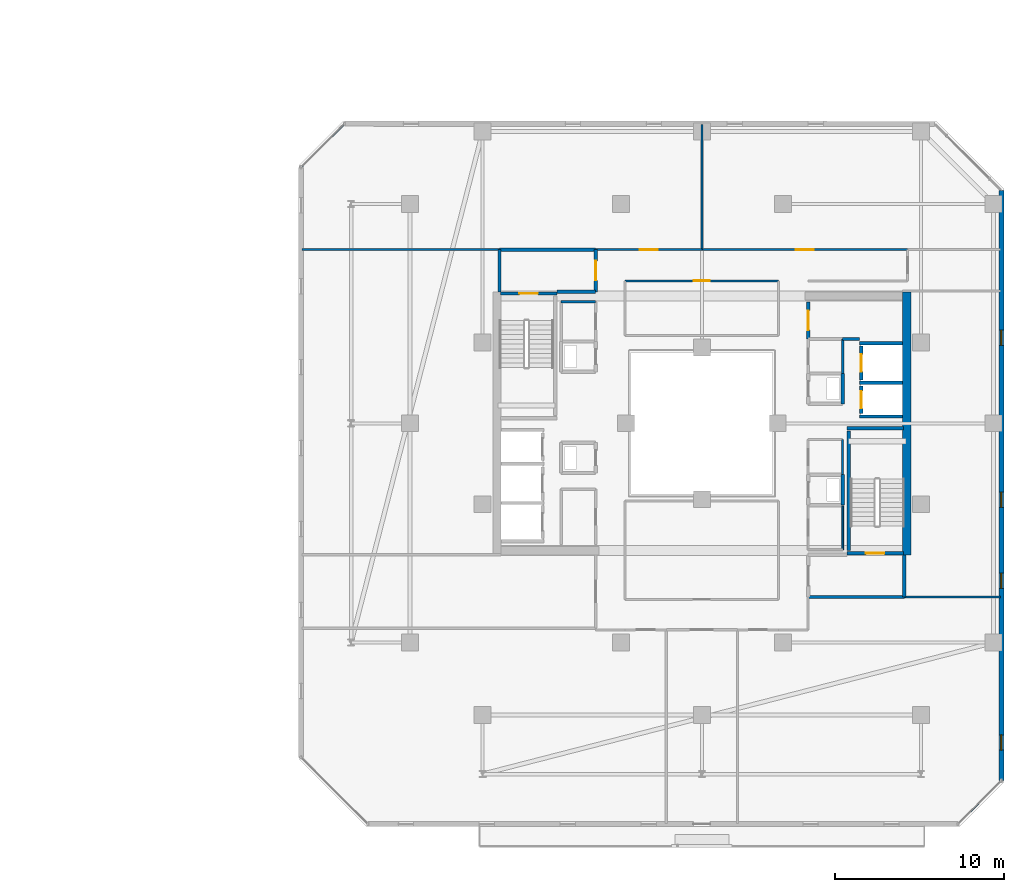
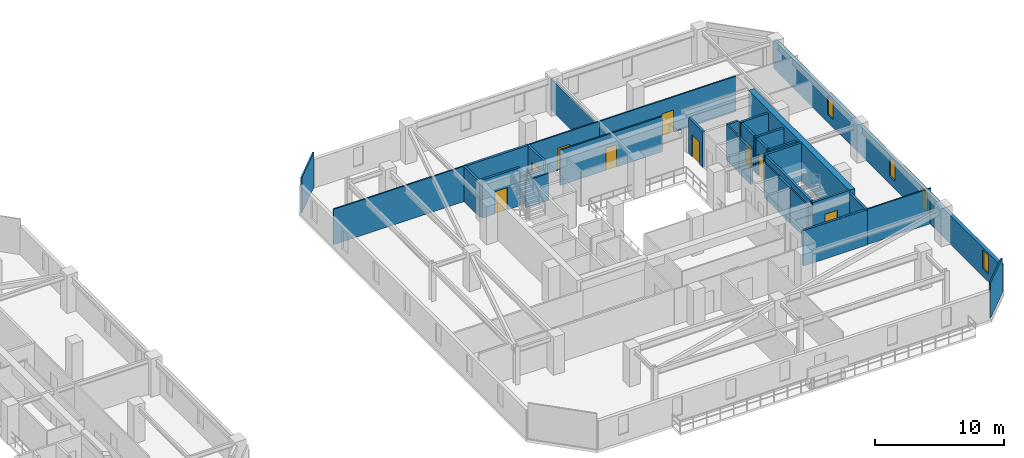
# One storey, part 25 of 33: 33 walls, 9 doors, 4 windows, 13 openings.
"""IFC4 building model written with IfcOpenShell, lengths in metres."""

from ifc_helpers import new_model, si_unit, direction, frame, frame_2d, origin, place, context, subcontext, project, spatial, rectangle, extrude, material, layer, layer_set, type_object, element, fill, save


model = new_model("IFC4")

# Units and contexts
model_context = context("Model", 3, precision=1e-05, world=origin(), true_north=direction((0.0, 1.0)))
body_context = subcontext(model_context, "Body", "Model", "MODEL_VIEW")
ifc_project = project(units=[si_unit("LENGTHUNIT", "METRE"), si_unit("AREAUNIT", "SQUARE_METRE"), si_unit("VOLUMEUNIT", "CUBIC_METRE"), si_unit("PLANEANGLEUNIT", "RADIAN"), si_unit("MASSUNIT", "GRAM", prefix="KILO")], contexts=[model_context])

# Site, building, storey
site_placement = place(None, origin())
site = spatial("IfcSite", under=ifc_project, at=site_placement, CompositionType="ELEMENT")
building_placement = place(site_placement, origin())
building = spatial("IfcBuilding", under=site, at=building_placement, Name="Thornwick Lancets Civic Towers", CompositionType="ELEMENT")
storey_placement = place(building_placement, frame((0.0, 0.0, 203.699951171875)))
storey = spatial("IfcBuildingStorey", under=building, at=storey_placement, Name="L54", CompositionType="ELEMENT", Elevation=203.699951171875)

# Wall, opening, door
ifc_material_1 = material(Name="Concrete blockwork C40/50", Category="masonry")
ifc_layer_1 = layer(ifc_material_1, 0.199951171875, Name="Concrete blockwork C40/50")
ifc_layer_set_1 = layer_set([ifc_layer_1], Name="Concrete blockwork C40/50")
wall_type_1 = type_object("IfcWallType", Name="WALL_COMP_200", PredefinedType="STANDARD", material=ifc_layer_set_1)
wall_1_placement = place(storey_placement, frame((97.949951171875, 29.219970703125, 0.0), z_axis=(0.0, 0.0, 1.0), x_axis=(0.0, -1.0, 0.0)))
wall_1 = element("IfcWall", 1, at=wall_1_placement, inside=storey, type_object=wall_type_1, Name="L54 Hoistway Front Wall FL-B1", PredefinedType="STANDARD", context=body_context, shape_type="SweptSolid", body=[
    extrude(rectangle(XDim=1.639892578125, YDim=0.199951171875, at=frame_2d((0.81982421875, 0.0))), origin(), (0.0, 0.0, 1.0), 3.340087890625),
])
opening_1_placement = place(wall_1_placement, frame((0.31005859375, 0.0, 0.0)))
opening_1 = element("IfcOpeningElement", 2, at=opening_1_placement, cuts=wall_1, Name="Opening LD-FL-B1", PredefinedType="OPENING", context=body_context, shape_type="SweptSolid", body=[
    extrude(rectangle(XDim=1.02001953125, YDim=2.06005859375, at=frame_2d((0.510009765625, 1.030029296875))), frame((0.0, 0.10986328125, 0.0), z_axis=(0.0, -1.0, 0.0), x_axis=(1.0, 0.0, 0.0)), (0.0, 0.0, 1.0), 0.219970703125),
])
ifc_material_2 = material(Name="Brushed bronze stainless steel", Category="steel")
door_type_1 = type_object("IfcDoorType", Name="DOOR_LIFT_SLIDE", OperationType="SLIDING_TO_LEFT", PredefinedType="DOOR", material=ifc_material_2)
door_1_placement = place(opening_1_placement, origin())
door_1 = element("IfcDoor", 3, at=door_1_placement, inside=storey, type_object=door_type_1, Name="L54 Sliding Lift Landing Door LD-FL-B1", OperationType="SLIDING_TO_LEFT", OverallHeight=2.06005859375, OverallWidth=1.02001953125, PredefinedType="DOOR", context=body_context, shape_type="SweptSolid", body=[
    extrude(rectangle(XDim=1.02001953125, YDim=2.06005859375, at=frame_2d((0.510009765625, 1.030029296875))), frame((0.0, 0.02490234375, 0.0), z_axis=(0.0, -1.0, 0.0), x_axis=(1.0, 0.0, 0.0)), (0.0, 0.0, 1.0), 0.050048828125),
])
fill(opening_1, door_1)

wall_2_placement = place(storey_placement, frame((97.949951171875, 31.570068359375, 0.0), z_axis=(0.0, 0.0, 1.0), x_axis=(0.0, -1.0, 0.0)))
wall_2 = element("IfcWall", 4, at=wall_2_placement, inside=storey, type_object=wall_type_1, Name="L54 Hoistway Front Wall PL-BH1", PredefinedType="STANDARD", context=body_context, shape_type="SweptSolid", body=[
    extrude(rectangle(XDim=1.989990234375, YDim=0.199951171875, at=frame_2d((0.9951171875, 0.0))), origin(), (0.0, 0.0, 1.0), 3.340087890625),
])
opening_2_placement = place(wall_2_placement, frame((0.485107421875, 0.0, 0.0)))
opening_2 = element("IfcOpeningElement", 5, at=opening_2_placement, cuts=wall_2, Name="Opening LD-PL-BH1", PredefinedType="OPENING", context=body_context, shape_type="SweptSolid", body=[
    extrude(rectangle(XDim=1.02001953125, YDim=2.06005859375, at=frame_2d((0.510009765625, 1.030029296875))), frame((0.0, 0.10986328125, 0.0), z_axis=(0.0, -1.0, 0.0), x_axis=(1.0, 0.0, 0.0)), (0.0, 0.0, 1.0), 0.219970703125),
])
door_2_placement = place(opening_2_placement, origin())
door_2 = element("IfcDoor", 6, at=door_2_placement, inside=storey, type_object=door_type_1, Name="L54 Sliding Lift Landing Door LD-PL-BH1", OperationType="SLIDING_TO_LEFT", OverallHeight=2.06005859375, OverallWidth=1.02001953125, PredefinedType="DOOR", context=body_context, shape_type="SweptSolid", body=[
    extrude(rectangle(XDim=1.02001953125, YDim=2.06005859375, at=frame_2d((0.510009765625, 1.030029296875))), frame((0.0, 0.02490234375, 0.0), z_axis=(0.0, -1.0, 0.0), x_axis=(1.0, 0.0, 0.0)), (0.0, 0.0, 1.0), 0.050048828125),
])
fill(opening_2, door_2)

# Walls
for number, where, z_axis, x_axis, name in (
    (7, (97.85205078125, 29.39990234375, 0.0), (0.0, 0.0, 1.0), (1.0, 0.0, 0.0), "L54 Hoistway Shaft Wall FL-B1 N"),
    (8, (97.85205078125, 27.39990234375, 0.0), (0.0, 0.0, 1.0), (1.0, 0.0, 0.0), "L54 Hoistway Shaft Wall FL-B1 S"),
    (9, (97.85205078125, 31.75, 0.0), (0.0, 0.0, 1.0), (1.0, 0.0, 0.0), "L54 Hoistway Shaft Wall PL-BH1 N"),
):
    element("IfcWall", number, at=place(storey_placement, frame(where, z_axis=z_axis, x_axis=x_axis)), inside=storey, type_object=wall_type_1, Name=name, PredefinedType="STANDARD", context=body_context, shape_type="SweptSolid", body=[
        extrude(rectangle(XDim=2.535888671875, YDim=0.199951171875, at=frame_2d((1.26806640625, 0.0))), origin(), (0.0, 0.0, 1.0), 3.340087890625),
    ])
wall_3_placement = place(storey_placement, frame((94.800048828125, 16.699951171875, 0.0), z_axis=(0.0, 0.0, 1.0), x_axis=(1.0, 0.0, 0.0)))
element("IfcWall", 10, at=wall_3_placement, inside=storey, type_object=wall_type_1, Name="L54 Partition L54-B-FFLOB1 E1", PredefinedType="STANDARD", context=body_context, shape_type="SweptSolid", body=[
    extrude(rectangle(XDim=5.699951171875, YDim=0.199951171875, at=frame_2d((2.85009765625, 0.0))), origin(), (0.0, 0.0, 1.0), 3.340087890625),
])
wall_4_placement = place(storey_placement, frame((100.5, 16.699951171875, 0.0), z_axis=(0.0, 0.0, 1.0), x_axis=(0.0, 1.0, 0.0)))
element("IfcWall", 11, at=wall_4_placement, inside=storey, type_object=wall_type_1, Name="L54 Partition L54-B-FFLOB1 E2", PredefinedType="STANDARD", context=body_context, shape_type="SweptSolid", body=[
    extrude(rectangle(XDim=2.5, YDim=0.199951171875, at=frame_2d((1.25, 0.0))), origin(), (0.0, 0.0, 1.0), 3.340087890625),
])
wall_5_placement = place(storey_placement, frame((79.89990234375, 34.800048828125, 0.0), z_axis=(0.0, 0.0, 1.0), x_axis=(1.0, 0.0, 0.0)))
element("IfcWall", 12, at=wall_5_placement, inside=storey, type_object=wall_type_1, Name="L54 Partition L54-B-FFLOB2 E1", PredefinedType="STANDARD", context=body_context, shape_type="SweptSolid", body=[
    extrude(rectangle(XDim=2.300048828125, YDim=0.199951171875, at=frame_2d((1.14990234375, 0.0))), origin(), (0.0, 0.0, 1.0), 2.545166015625),
])

# Wall, opening, door
wall_6_placement = place(storey_placement, frame((82.199951171875, 34.800048828125, 0.0), z_axis=(0.0, 0.0, 1.0), x_axis=(0.0, 1.0, 0.0)))
wall_6 = element("IfcWall", 13, at=wall_6_placement, inside=storey, type_object=wall_type_1, Name="L54 Partition L54-B-FFLOB2 E2", PredefinedType="STANDARD", context=body_context, shape_type="SweptSolid", body=[
    extrude(rectangle(XDim=2.5, YDim=0.199951171875, at=frame_2d((1.25, 0.0))), origin(), (0.0, 0.0, 1.0), 3.340087890625),
])
opening_3_placement = place(wall_6_placement, frame((0.675048828125, 0.0, 0.0)))
opening_3 = element("IfcOpeningElement", 14, at=opening_3_placement, cuts=wall_6, Name="Opening D-L54-2400", PredefinedType="OPENING", context=body_context, shape_type="SweptSolid", body=[
    extrude(rectangle(XDim=1.14990234375, YDim=2.10009765625, at=frame_2d((0.574951171875, 1.050048828125))), frame((0.0, 0.10986328125, 0.0), z_axis=(0.0, -1.0, 0.0), x_axis=(1.0, 0.0, 0.0)), (0.0, 0.0, 1.0), 0.219970703125),
])
ifc_material_3 = material(Name="Glazed fire-resisting steel", Category="steel")
door_type_2 = type_object("IfcDoorType", Name="DOOR_LOBBY_FD60", OperationType="NOTDEFINED", PredefinedType="DOOR", material=ifc_material_3)
door_3_placement = place(opening_3_placement, origin())
door_3 = element("IfcDoor", 15, at=door_3_placement, inside=storey, type_object=door_type_2, Name="L54 West Firefighting Lobby 2 Door", OperationType="SINGLE_SWING_LEFT", OverallHeight=2.10009765625, OverallWidth=1.14990234375, PredefinedType="DOOR", context=body_context, shape_type="SweptSolid", body=[
    extrude(rectangle(XDim=1.14990234375, YDim=2.10009765625, at=frame_2d((0.574951171875, 1.050048828125))), frame((0.0, 0.02490234375, 0.0), z_axis=(0.0, -1.0, 0.0), x_axis=(1.0, 0.0, 0.0)), (0.0, 0.0, 1.0), 0.050048828125),
])
fill(opening_3, door_3)

# Walls
wall_7_placement = place(storey_placement, frame((82.199951171875, 37.300048828125, 0.0), z_axis=(0.0, 0.0, 1.0), x_axis=(-1.0, 0.0, 0.0)))
element("IfcWall", 16, at=wall_7_placement, inside=storey, type_object=wall_type_1, Name="L54 Partition L54-B-FFLOB2 E3", PredefinedType="STANDARD", context=body_context, shape_type="SweptSolid", body=[
    extrude(rectangle(XDim=5.699951171875, YDim=0.199951171875, at=frame_2d((2.85009765625, 0.0))), origin(), (0.0, 0.0, 1.0), 3.340087890625),
])
wall_8_placement = place(storey_placement, frame((76.5, 37.300048828125, 0.0), z_axis=(0.0, 0.0, 1.0), x_axis=(0.0, -1.0, 0.0)))
element("IfcWall", 17, at=wall_8_placement, inside=storey, type_object=wall_type_1, Name="L54 Partition L54-B-FFLOB2 E4", PredefinedType="STANDARD", context=body_context, shape_type="SweptSolid", body=[
    extrude(rectangle(XDim=2.5, YDim=0.199951171875, at=frame_2d((1.25, 0.0))), origin(), (0.0, 0.0, 1.0), 3.340087890625),
])
for number, where, z_axis, x_axis, name in (
    (18, (96.85009765625, 28.14990234375, 0.0), (0.0, 0.0, 1.0), (0.0, 1.0, 0.0), "L54 Partition L54-B-DUCT1 E2"),
    (19, (96.85009765625, 22.14990234375, 0.0), (0.0, 0.0, 1.0), (0.0, 1.0, 0.0), "L54 Partition L54-B-RISER1 E2"),
):
    element("IfcWall", number, at=place(storey_placement, frame(where, z_axis=z_axis, x_axis=x_axis)), inside=storey, type_object=wall_type_1, Name=name, PredefinedType="STANDARD", context=body_context, shape_type="SweptSolid", body=[
        extrude(rectangle(XDim=1.800048828125, YDim=0.199951171875, at=frame_2d((0.89990234375, 0.0))), origin(), (0.0, 0.0, 1.0), 3.340087890625),
    ])

# Wall, opening, door
wall_9_placement = place(storey_placement, frame((94.800048828125, 32.0, 0.0), z_axis=(0.0, 0.0, 1.0), x_axis=(0.0, 1.0, 0.0)))
wall_9 = element("IfcWall", 20, at=wall_9_placement, inside=storey, type_object=wall_type_1, Name="L54 Partition L54-B-STR2 E1", PredefinedType="STANDARD", context=body_context, shape_type="SweptSolid", body=[
    extrude(rectangle(XDim=2.199951171875, YDim=0.199951171875, at=frame_2d((1.10009765625, 0.0))), origin(), (0.0, 0.0, 1.0), 3.340087890625),
])
opening_4_placement = place(wall_9_placement, frame((0.52490234375, 0.0, 0.0)))
opening_4 = element("IfcOpeningElement", 21, at=opening_4_placement, cuts=wall_9, Name="Opening D-L54-2408", PredefinedType="OPENING", context=body_context, shape_type="SweptSolid", body=[
    extrude(rectangle(XDim=1.14990234375, YDim=2.10009765625, at=frame_2d((0.574951171875, 1.050048828125))), frame((0.0, 0.10986328125, 0.0), z_axis=(0.0, -1.0, 0.0), x_axis=(1.0, 0.0, 0.0)), (0.0, 0.0, 1.0), 0.219970703125),
])
door_4_placement = place(opening_4_placement, origin())
door_4 = element("IfcDoor", 22, at=door_4_placement, inside=storey, type_object=door_type_2, Name="L54 Tower B Core Supplies Store Door", OperationType="SINGLE_SWING_LEFT", OverallHeight=2.10009765625, OverallWidth=1.14990234375, PredefinedType="DOOR", context=body_context, shape_type="SweptSolid", body=[
    extrude(rectangle(XDim=1.14990234375, YDim=2.10009765625, at=frame_2d((0.574951171875, 1.050048828125))), frame((0.0, 0.02490234375, 0.0), z_axis=(0.0, -1.0, 0.0), x_axis=(1.0, 0.0, 0.0)), (0.0, 0.0, 1.0), 0.050048828125),
])
fill(opening_4, door_4)

# Walls
wall_10_placement = place(storey_placement, frame((97.85205078125, 32.0, 0.0), z_axis=(0.0, 0.0, 1.0), x_axis=(-1.0, 0.0, 0.0)))
element("IfcWall", 23, at=wall_10_placement, inside=storey, type_object=wall_type_1, Name="L54 Partition L54-B-STR2 E4", PredefinedType="STANDARD", context=body_context, shape_type="SweptSolid", body=[
    extrude(rectangle(XDim=1.001953125, YDim=0.199951171875, at=frame_2d((0.5009765625, 0.0))), origin(), (0.0, 0.0, 1.0), 3.340087890625),
])
ifc_material_4 = material(Name="Concrete C50/60", Category="concrete")
ifc_layer_2 = layer(ifc_material_4, 0.5, Name="Concrete C50/60")
ifc_layer_set_2 = layer_set([ifc_layer_2], Name="Concrete C50/60")
wall_type_2 = type_object("IfcWallType", Name="WALL_CORE_500", PredefinedType="SHEAR", material=ifc_layer_set_2)
wall_11_placement = place(storey_placement, frame((100.64990234375, 19.199951171875, 0.0), z_axis=(0.0, 0.0, 1.0), x_axis=(0.0, 1.0, 0.0)))
element("IfcWall", 24, at=wall_11_placement, inside=storey, type_object=wall_type_2, Name="L54 Split Core B1 Shear Wall E", PredefinedType="SHEAR", context=body_context, shape_type="SweptSolid", body=[
    extrude(rectangle(XDim=15.60009765625, YDim=0.5, at=frame_2d((7.800048828125, 0.0))), origin(), (0.0, 0.0, 1.0), 3.60009765625),
])

# Wall, openings, windows
ifc_material_5 = material(Name="Insulated russet terracotta rainscreen on concrete C40/50", Category="masonry")
ifc_layer_3 = layer(ifc_material_5, 0.300048828125, Name="Insulated russet terracotta rainscreen on concrete C40/50")
ifc_layer_set_3 = layer_set([ifc_layer_3], Name="Insulated russet terracotta rainscreen on concrete C40/50")
wall_type_3 = type_object("IfcWallType", Name="WALL_EXT_RUSSET_300", PredefinedType="STANDARD", material=ifc_layer_set_3)
wall_12_placement = place(storey_placement, frame((106.2646484375, 5.818603515625, 0.0), z_axis=(0.0, 0.0, 1.0), x_axis=(-0.000132597301, 0.999999991209, 0.0)))
wall_12 = element("IfcWall", 25, at=wall_12_placement, inside=storey, type_object=wall_type_3, Name="L54 Tower B Terracotta Facade Wall E2", PredefinedType="STANDARD", context=body_context, shape_type="SweptSolid", body=[
    extrude(rectangle(XDim=34.983154296875, YDim=0.300048828125, at=frame_2d((17.49169921875, 0.0))), origin(), (0.0, 0.0, 1.0), 2.699951171875),
])
opening_5_placement = place(wall_12_placement, frame((1.800048828125, 0.0, 0.719970703125)))
opening_5 = element("IfcOpeningElement", 26, at=opening_5_placement, cuts=wall_12, Name="Opening WL-01", PredefinedType="OPENING", context=body_context, shape_type="SweptSolid", body=[
    extrude(rectangle(XDim=0.89990234375, YDim=1.75, at=frame_2d((0.449951171875, 0.875))), frame((0.0, 0.16015625, 0.0), z_axis=(0.0, -1.0, 0.0), x_axis=(1.0, 0.0, 0.0)), (0.0, 0.0, 1.0), 0.320068359375),
])
opening_6_placement = place(wall_12_placement, frame((11.39990234375, 0.0, 0.719970703125)))
opening_6 = element("IfcOpeningElement", 27, at=opening_6_placement, cuts=wall_12, Name="Opening WL-01", PredefinedType="OPENING", context=body_context, shape_type="SweptSolid", body=[
    extrude(rectangle(XDim=0.89990234375, YDim=1.75, at=frame_2d((0.449951171875, 0.875))), frame((0.0, 0.16015625, 0.0), z_axis=(0.0, -1.0, 0.0), x_axis=(1.0, 0.0, 0.0)), (0.0, 0.0, 1.0), 0.320068359375),
])
opening_7_placement = place(wall_12_placement, frame((16.199951171875, 0.0, 0.719970703125)))
opening_7 = element("IfcOpeningElement", 28, at=opening_7_placement, cuts=wall_12, Name="Opening WL-01", PredefinedType="OPENING", context=body_context, shape_type="SweptSolid", body=[
    extrude(rectangle(XDim=0.89990234375, YDim=1.75, at=frame_2d((0.449951171875, 0.875))), frame((0.0, 0.16015625, 0.0), z_axis=(0.0, -1.0, 0.0), x_axis=(1.0, 0.0, 0.0)), (0.0, 0.0, 1.0), 0.320068359375),
])
opening_8_placement = place(wall_12_placement, frame((25.800048828125, 0.0, 0.719970703125)))
opening_8 = element("IfcOpeningElement", 29, at=opening_8_placement, cuts=wall_12, Name="Opening WL-01", PredefinedType="OPENING", context=body_context, shape_type="SweptSolid", body=[
    extrude(rectangle(XDim=0.89990234375, YDim=1.75, at=frame_2d((0.449951171875, 0.875))), frame((0.0, 0.16015625, 0.0), z_axis=(0.0, -1.0, 0.0), x_axis=(1.0, 0.0, 0.0)), (0.0, 0.0, 1.0), 0.320068359375),
])
ifc_material_6 = material(Name="Clear low-e double glazing in bronze frame", Category="glass")
window_type = type_object("IfcWindowType", Name="WIN_LANCET_900", PartitioningType="SINGLE_PANEL", PredefinedType="WINDOW", material=ifc_material_6)
window_1_placement = place(opening_5_placement, origin())
window_1 = element("IfcWindow", 30, at=window_1_placement, inside=storey, type_object=window_type, Name="L54 Tower B Staggered Lancet Window E2-1", OverallHeight=1.75, OverallWidth=0.89990234375, PartitioningType="SINGLE_PANEL", PredefinedType="WINDOW", context=body_context, shape_type="SweptSolid", body=[
    extrude(rectangle(XDim=0.89990234375, YDim=1.75, at=frame_2d((0.449951171875, 0.875))), frame((0.0, 0.030029296875, 0.0), z_axis=(0.0, -1.0, 0.0), x_axis=(1.0, 0.0, 0.0)), (0.0, 0.0, 1.0), 0.06005859375),
])
fill(opening_5, window_1)
window_2_placement = place(opening_6_placement, origin())
window_2 = element("IfcWindow", 31, at=window_2_placement, inside=storey, type_object=window_type, Name="L54 Tower B Staggered Lancet Window E2-2", OverallHeight=1.75, OverallWidth=0.89990234375, PartitioningType="SINGLE_PANEL", PredefinedType="WINDOW", context=body_context, shape_type="SweptSolid", body=[
    extrude(rectangle(XDim=0.89990234375, YDim=1.75, at=frame_2d((0.449951171875, 0.875))), frame((0.0, 0.030029296875, 0.0), z_axis=(0.0, -1.0, 0.0), x_axis=(1.0, 0.0, 0.0)), (0.0, 0.0, 1.0), 0.06005859375),
])
fill(opening_6, window_2)
window_3_placement = place(opening_7_placement, origin())
window_3 = element("IfcWindow", 32, at=window_3_placement, inside=storey, type_object=window_type, Name="L54 Tower B Staggered Lancet Window E2-3", OverallHeight=1.75, OverallWidth=0.89990234375, PartitioningType="SINGLE_PANEL", PredefinedType="WINDOW", context=body_context, shape_type="SweptSolid", body=[
    extrude(rectangle(XDim=0.89990234375, YDim=1.75, at=frame_2d((0.449951171875, 0.875))), frame((0.0, 0.030029296875, 0.0), z_axis=(0.0, -1.0, 0.0), x_axis=(1.0, 0.0, 0.0)), (0.0, 0.0, 1.0), 0.06005859375),
])
fill(opening_7, window_3)
window_4_placement = place(opening_8_placement, origin())
window_4 = element("IfcWindow", 33, at=window_4_placement, inside=storey, type_object=window_type, Name="L54 Tower B Staggered Lancet Window E2-4", OverallHeight=1.75, OverallWidth=0.89990234375, PartitioningType="SINGLE_PANEL", PredefinedType="WINDOW", context=body_context, shape_type="SweptSolid", body=[
    extrude(rectangle(XDim=0.89990234375, YDim=1.75, at=frame_2d((0.449951171875, 0.875))), frame((0.0, 0.030029296875, 0.0), z_axis=(0.0, -1.0, 0.0), x_axis=(1.0, 0.0, 0.0)), (0.0, 0.0, 1.0), 0.06005859375),
])
fill(opening_8, window_4)

# Walls
ifc_material_7 = material(Name="Lightweight cellular office partition")
ifc_layer_4 = layer(ifc_material_7, 0.10009765625, Name="Lightweight cellular office partition")
ifc_layer_set_4 = layer_set([ifc_layer_4], Name="Lightweight cellular office partition")
wall_type_4 = type_object("IfcWallType", Name="WALL_PART_100", PredefinedType="PARTITIONING", material=ifc_layer_set_4)
wall_13_placement = place(storey_placement, frame((96.85009765625, 19.5, 0.0), z_axis=(0.0, 0.0, 1.0), x_axis=(0.0, 1.0, 0.0)))
element("IfcWall", 34, at=wall_13_placement, inside=storey, type_object=wall_type_4, Name="L54 Partition L54-B-CLN E2", PredefinedType="PARTITIONING", context=body_context, shape_type="SweptSolid", body=[
    extrude(rectangle(XDim=2.60009765625, YDim=0.10009765625, at=frame_2d((1.300048828125, 0.0))), origin(), (0.0, 0.0, 1.0), 3.340087890625),
])
ifc_material_8 = material(Name="Acoustic gypsum board partition")
ifc_layer_5 = layer(ifc_material_8, 0.1201171875, Name="Acoustic gypsum board partition")
ifc_layer_set_5 = layer_set([ifc_layer_5], Name="Acoustic gypsum board partition")
wall_type_5 = type_object("IfcWallType", Name="WALL_PART_120", PredefinedType="PARTITIONING", material=ifc_layer_set_5)
wall_14_placement = place(storey_placement, frame((96.85009765625, 26.050048828125, 0.0), z_axis=(0.0, 0.0, 1.0), x_axis=(0.0, -1.0, 0.0)))
element("IfcWall", 35, at=wall_14_placement, inside=storey, type_object=wall_type_5, Name="L54 Partition L54-B-ITR E3", PredefinedType="PARTITIONING", context=body_context, shape_type="SweptSolid", body=[
    extrude(rectangle(XDim=2.10009765625, YDim=0.1201171875, at=frame_2d((1.050048828125, 0.0))), origin(), (0.0, 0.0, 1.0), 3.340087890625),
])
wall_15_placement = place(storey_placement, frame((100.5, 16.699951171875, 0.0), z_axis=(0.0, 0.0, 1.0), x_axis=(1.0, 0.0, 0.0)))
element("IfcWall", 36, at=wall_15_placement, inside=storey, type_object=wall_type_5, Name="L54 Partition L54-B-W1 E7", PredefinedType="PARTITIONING", context=body_context, shape_type="SweptSolid", body=[
    extrude(rectangle(XDim=5.719970703125, YDim=0.1201171875, at=frame_2d((2.85986328125, 0.0))), origin(), (0.0, 0.0, 1.0), 3.340087890625),
])
wall_16_placement = place(storey_placement, frame((106.219970703125, 5.774658203125, 0.0), z_axis=(0.0, 0.0, 1.0), x_axis=(-0.707106781187, -0.707106781187, 0.0)))
element("IfcWall", 37, at=wall_16_placement, inside=storey, type_object=wall_type_5, Name="L54 Partition L54-B-W1 E9", PredefinedType="PARTITIONING", context=body_context, shape_type="SweptSolid", body=[
    extrude(rectangle(XDim=3.52783203125, YDim=0.1201171875, at=frame_2d((1.763916015625, 0.0))), origin(), (0.0, 0.0, 1.0), 3.340087890625),
])

# Wall, opening, door
wall_17_placement = place(storey_placement, frame((100.699951171875, 37.300048828125, 0.0), z_axis=(0.0, 0.0, 1.0), x_axis=(-1.0, 0.0, 0.0)))
wall_17 = element("IfcWall", 38, at=wall_17_placement, inside=storey, type_object=wall_type_5, Name="L54 Partition L54-B-E1 E1", PredefinedType="PARTITIONING", context=body_context, shape_type="SweptSolid", body=[
    extrude(rectangle(XDim=12.199951171875, YDim=0.1201171875, at=frame_2d((6.10009765625, 0.0))), origin(), (0.0, 0.0, 1.0), 3.340087890625),
])
opening_9_placement = place(wall_17_placement, frame((5.574951171875, 0.0, 0.0)))
opening_9 = element("IfcOpeningElement", 39, at=opening_9_placement, cuts=wall_17, Name="Opening D-L54-2426", PredefinedType="OPENING", context=body_context, shape_type="SweptSolid", body=[
    extrude(rectangle(XDim=1.050048828125, YDim=2.10009765625, at=frame_2d((0.52490234375, 1.050048828125))), frame((0.0, 0.070068359375, 0.0), z_axis=(0.0, -1.0, 0.0), x_axis=(1.0, 0.0, 0.0)), (0.0, 0.0, 1.0), 0.14013671875),
])
ifc_material_9 = material(Name="Glazed European oak executive doorset")
door_type_3 = type_object("IfcDoorType", Name="DOOR_OFFICE_1050", OperationType="NOTDEFINED", PredefinedType="DOOR", material=ifc_material_9)
door_5_placement = place(opening_9_placement, origin())
door_5 = element("IfcDoor", 40, at=door_5_placement, inside=storey, type_object=door_type_3, Name="L54 Tower B Secretariat Open Office E1 Door", OperationType="SINGLE_SWING_LEFT", OverallHeight=2.10009765625, OverallWidth=1.050048828125, PredefinedType="DOOR", context=body_context, shape_type="SweptSolid", body=[
    extrude(rectangle(XDim=1.050048828125, YDim=2.10009765625, at=frame_2d((0.52490234375, 1.050048828125))), frame((0.0, 0.02490234375, 0.0), z_axis=(0.0, -1.0, 0.0), x_axis=(1.0, 0.0, 0.0)), (0.0, 0.0, 1.0), 0.050048828125),
])
fill(opening_9, door_5)

# Walls
wall_18_placement = place(storey_placement, frame((88.5, 37.300048828125, 0.0), z_axis=(0.0, 0.0, 1.0), x_axis=(0.0, 1.0, 0.0)))
element("IfcWall", 41, at=wall_18_placement, inside=storey, type_object=wall_type_5, Name="L54 Partition L54-B-E1 E2", PredefinedType="PARTITIONING", context=body_context, shape_type="SweptSolid", body=[
    extrude(rectangle(XDim=7.419921875, YDim=0.1201171875, at=frame_2d((3.7099609375, 0.0))), origin(), (0.0, 0.0, 1.0), 2.93212890625),
])
wall_19_placement = place(storey_placement, frame((76.5, 37.300048828125, 0.0), z_axis=(0.0, 0.0, 1.0), x_axis=(-1.0, 0.0, 0.0)))
element("IfcWall", 42, at=wall_19_placement, inside=storey, type_object=wall_type_5, Name="L54 Partition L54-B-E2 E2", PredefinedType="PARTITIONING", context=body_context, shape_type="SweptSolid", body=[
    extrude(rectangle(XDim=11.719970703125, YDim=0.1201171875, at=frame_2d((5.85986328125, 0.0))), origin(), (0.0, 0.0, 1.0), 3.340087890625),
])
wall_20_placement = place(storey_placement, frame((64.780029296875, 42.225341796875, 0.0), z_axis=(0.0, 0.0, 1.0), x_axis=(0.707106781187, 0.707106781187, 0.0)))
element("IfcWall", 43, at=wall_20_placement, inside=storey, type_object=wall_type_5, Name="L54 Partition L54-B-E2 E4", PredefinedType="PARTITIONING", context=body_context, shape_type="SweptSolid", body=[
    extrude(rectangle(XDim=3.52783203125, YDim=0.1201171875, at=frame_2d((1.763916015625, 0.0))), origin(), (0.0, 0.0, 1.0), 3.340087890625),
])

# Wall, opening, door
wall_21_placement = place(storey_placement, frame((88.5, 37.300048828125, 0.0), z_axis=(0.0, 0.0, 1.0), x_axis=(-1.0, 0.0, 0.0)))
wall_21 = element("IfcWall", 44, at=wall_21_placement, inside=storey, type_object=wall_type_5, Name="L54 Partition L54-B-E2 E7", PredefinedType="PARTITIONING", context=body_context, shape_type="SweptSolid", body=[
    extrude(rectangle(XDim=6.300048828125, YDim=0.1201171875, at=frame_2d((3.14990234375, 0.0))), origin(), (0.0, 0.0, 1.0), 3.340087890625),
])
opening_10_placement = place(wall_21_placement, frame((2.625, 0.0, 0.0)))
opening_10 = element("IfcOpeningElement", 45, at=opening_10_placement, cuts=wall_21, Name="Opening D-L54-2427", PredefinedType="OPENING", context=body_context, shape_type="SweptSolid", body=[
    extrude(rectangle(XDim=1.050048828125, YDim=2.10009765625, at=frame_2d((0.52490234375, 1.050048828125))), frame((0.0, 0.070068359375, 0.0), z_axis=(0.0, -1.0, 0.0), x_axis=(1.0, 0.0, 0.0)), (0.0, 0.0, 1.0), 0.14013671875),
])
door_6_placement = place(opening_10_placement, origin())
door_6 = element("IfcDoor", 46, at=door_6_placement, inside=storey, type_object=door_type_3, Name="L54 Tower B Visitors Reception and Waiting Door", OperationType="SINGLE_SWING_RIGHT", OverallHeight=2.10009765625, OverallWidth=1.050048828125, PredefinedType="DOOR", context=body_context, shape_type="SweptSolid", body=[
    extrude(rectangle(XDim=1.050048828125, YDim=2.10009765625, at=frame_2d((0.52490234375, 1.050048828125))), frame((0.0, 0.02490234375, 0.0), z_axis=(0.0, -1.0, 0.0), x_axis=(1.0, 0.0, 0.0)), (0.0, 0.0, 1.0), 0.050048828125),
])
fill(opening_10, door_6)

wall_22_placement = place(storey_placement, frame((83.949951171875, 35.449951171875, 0.0), z_axis=(0.0, 0.0, 1.0), x_axis=(1.0, 0.0, 0.0)))
wall_22 = element("IfcWall", 47, at=wall_22_placement, inside=storey, type_object=wall_type_5, Name="L54 Partition L54-B-E-ATRIUM-OFF E2", PredefinedType="PARTITIONING", context=body_context, shape_type="SweptSolid", body=[
    extrude(rectangle(XDim=9.10009765625, YDim=0.1201171875, at=frame_2d((4.550048828125, 0.0))), origin(), (0.0, 0.0, 1.0), 3.340087890625),
])
opening_11_placement = place(wall_22_placement, frame((4.074951171875, 0.0, 0.0)))
opening_11 = element("IfcOpeningElement", 48, at=opening_11_placement, cuts=wall_22, Name="Opening D-L54-2428", PredefinedType="OPENING", context=body_context, shape_type="SweptSolid", body=[
    extrude(rectangle(XDim=0.949951171875, YDim=2.10009765625, at=frame_2d((0.47509765625, 1.050048828125))), frame((0.0, 0.070068359375, 0.0), z_axis=(0.0, -1.0, 0.0), x_axis=(1.0, 0.0, 0.0)), (0.0, 0.0, 1.0), 0.14013671875),
])
ifc_material_10 = material(Name="European oak acoustic doorset")
door_type_4 = type_object("IfcDoorType", Name="DOOR_OFFICE_950", OperationType="NOTDEFINED", PredefinedType="DOOR", material=ifc_material_10)
door_7_placement = place(opening_11_placement, origin())
door_7 = element("IfcDoor", 49, at=door_7_placement, inside=storey, type_object=door_type_4, Name="L54 Tower B Atrium Policy Office Door", OperationType="SINGLE_SWING_LEFT", OverallHeight=2.10009765625, OverallWidth=0.949951171875, PredefinedType="DOOR", context=body_context, shape_type="SweptSolid", body=[
    extrude(rectangle(XDim=0.949951171875, YDim=2.10009765625, at=frame_2d((0.47509765625, 1.050048828125))), frame((0.0, 0.02490234375, 0.0), z_axis=(0.0, -1.0, 0.0), x_axis=(1.0, 0.0, 0.0)), (0.0, 0.0, 1.0), 0.050048828125),
])
fill(opening_11, door_7)

# Walls
ifc_material_11 = material(Name="Twin-stud acoustic gypsum board")
ifc_layer_6 = layer(ifc_material_11, 0.14990234375, Name="Twin-stud acoustic gypsum board")
ifc_layer_set_6 = layer_set([ifc_layer_6], Name="Twin-stud acoustic gypsum board")
wall_type_6 = type_object("IfcWallType", Name="WALL_PART_150", PredefinedType="PARTITIONING", material=ifc_layer_set_6)
wall_23_placement = place(storey_placement, frame((96.85009765625, 32.0, 0.0), z_axis=(0.0, 0.0, 1.0), x_axis=(0.0, -1.0, 0.0)))
element("IfcWall", 50, at=wall_23_placement, inside=storey, type_object=wall_type_6, Name="L54 Partition L54-B-AWC E3", PredefinedType="PARTITIONING", context=body_context, shape_type="SweptSolid", body=[
    extrude(rectangle(XDim=2.050048828125, YDim=0.14990234375, at=frame_2d((1.02490234375, 0.0))), origin(), (0.0, 0.0, 1.0), 3.340087890625),
])
wall_24_placement = place(storey_placement, frame((80.14990234375, 34.199951171875, 0.0), z_axis=(0.0, 0.0, 1.0), x_axis=(1.0, 0.0, 0.0)))
element("IfcWall", 51, at=wall_24_placement, inside=storey, type_object=wall_type_6, Name="L54 Partition L54-B-FWC E2", PredefinedType="PARTITIONING", context=body_context, shape_type="SweptSolid", body=[
    extrude(rectangle(XDim=2.050048828125, YDim=0.14990234375, at=frame_2d((1.02490234375, 0.0))), origin(), (0.0, 0.0, 1.0), 2.545166015625),
])

# Wall, opening, door
ifc_material_12 = material(Name="Concrete C40/50", Category="concrete")
ifc_layer_7 = layer(ifc_material_12, 0.199951171875, Name="Concrete C40/50")
ifc_layer_set_7 = layer_set([ifc_layer_7], Name="Concrete C40/50")
wall_type_7 = type_object("IfcWallType", Name="WALL_SHAFT_200", PredefinedType="SHEAR", material=ifc_layer_set_7)
wall_25_placement = place(storey_placement, frame((100.449951171875, 19.300048828125, 0.0), z_axis=(0.0, 0.0, 1.0), x_axis=(-1.0, 0.0, 0.0)))
wall_25 = element("IfcWall", 52, at=wall_25_placement, inside=storey, type_object=wall_type_7, Name="L54 ST-B1 Fire Stair Core Wall NEAR", PredefinedType="SHEAR", context=body_context, shape_type="SweptSolid", body=[
    extrude(rectangle(XDim=3.349853515625, YDim=0.199951171875, at=frame_2d((1.6748046875, 0.0))), origin(), (0.0, 0.0, 1.0), 3.60009765625),
])
opening_12_placement = place(wall_25_placement, frame((1.125, 0.0, 0.0)))
opening_12 = element("IfcOpeningElement", 53, at=opening_12_placement, cuts=wall_25, Name="Opening D-ST-B1-L54", PredefinedType="OPENING", context=body_context, shape_type="SweptSolid", body=[
    extrude(rectangle(XDim=1.10009765625, YDim=2.10009765625, at=frame_2d((0.550048828125, 1.050048828125))), frame((0.0, 0.10986328125, 0.0), z_axis=(0.0, -1.0, 0.0), x_axis=(1.0, 0.0, 0.0)), (0.0, 0.0, 1.0), 0.219970703125),
])
ifc_material_13 = material(Name="Fire-resisting steel and hardwood", Category="steel")
door_type_5 = type_object("IfcDoorType", Name="DOOR_STAIR_FD60", OperationType="NOTDEFINED", PredefinedType="DOOR", material=ifc_material_13)
door_8_placement = place(opening_12_placement, origin())
door_8 = element("IfcDoor", 54, at=door_8_placement, inside=storey, type_object=door_type_5, Name="L54 ST-B1 Exit Stair Door", OperationType="SINGLE_SWING_RIGHT", OverallHeight=2.10009765625, OverallWidth=1.10009765625, PredefinedType="DOOR", context=body_context, shape_type="SweptSolid", body=[
    extrude(rectangle(XDim=1.10009765625, YDim=2.10009765625, at=frame_2d((0.550048828125, 1.050048828125))), frame((0.0, 0.02490234375, 0.0), z_axis=(0.0, -1.0, 0.0), x_axis=(1.0, 0.0, 0.0)), (0.0, 0.0, 1.0), 0.050048828125),
])
fill(opening_12, door_8)

# Walls
wall_26_placement = place(storey_placement, frame((97.10009765625, 26.699951171875, 0.0), z_axis=(0.0, 0.0, 1.0), x_axis=(1.0, 0.0, 0.0)))
element("IfcWall", 55, at=wall_26_placement, inside=storey, type_object=wall_type_7, Name="L54 ST-B1 Fire Stair Core Wall FAR", PredefinedType="SHEAR", context=body_context, shape_type="SweptSolid", body=[
    extrude(rectangle(XDim=3.349853515625, YDim=0.199951171875, at=frame_2d((1.6748046875, 0.0))), origin(), (0.0, 0.0, 1.0), 3.60009765625),
])
wall_27_placement = place(storey_placement, frame((97.202880859375, 26.550048828125, 0.0), z_axis=(0.0, 0.0, 1.0), x_axis=(0.0, -1.0, 0.0)))
element("IfcWall", 56, at=wall_27_placement, inside=storey, type_object=wall_type_7, Name="L54 ST-B1 Fire Stair Core Wall RIGHT", PredefinedType="SHEAR", context=body_context, shape_type="SweptSolid", body=[
    extrude(rectangle(XDim=7.10009765625, YDim=0.199951171875, at=frame_2d((3.550048828125, 0.0))), origin(), (0.0, 0.0, 1.0), 3.60009765625),
])

# Wall, opening, door
wall_28_placement = place(storey_placement, frame((76.550048828125, 34.699951171875, 0.0), z_axis=(0.0, 0.0, 1.0), x_axis=(1.0, 0.0, 0.0)))
wall_28 = element("IfcWall", 57, at=wall_28_placement, inside=storey, type_object=wall_type_7, Name="L54 ST-B2 Fire Stair Core Wall NEAR", PredefinedType="SHEAR", context=body_context, shape_type="SweptSolid", body=[
    extrude(rectangle(XDim=3.349853515625, YDim=0.199951171875, at=frame_2d((1.6748046875, 0.0))), origin(), (0.0, 0.0, 1.0), 3.60009765625),
])
opening_13_placement = place(wall_28_placement, frame((1.125, 0.0, 0.0)))
opening_13 = element("IfcOpeningElement", 58, at=opening_13_placement, cuts=wall_28, Name="Opening D-ST-B2-L54", PredefinedType="OPENING", context=body_context, shape_type="SweptSolid", body=[
    extrude(rectangle(XDim=1.10009765625, YDim=2.10009765625, at=frame_2d((0.550048828125, 1.050048828125))), frame((0.0, 0.10986328125, 0.0), z_axis=(0.0, -1.0, 0.0), x_axis=(1.0, 0.0, 0.0)), (0.0, 0.0, 1.0), 0.219970703125),
])
door_9_placement = place(opening_13_placement, origin())
door_9 = element("IfcDoor", 59, at=door_9_placement, inside=storey, type_object=door_type_5, Name="L54 ST-B2 Exit Stair Door", OperationType="SINGLE_SWING_LEFT", OverallHeight=2.10009765625, OverallWidth=1.10009765625, PredefinedType="DOOR", context=body_context, shape_type="SweptSolid", body=[
    extrude(rectangle(XDim=1.10009765625, YDim=2.10009765625, at=frame_2d((0.550048828125, 1.050048828125))), frame((0.0, 0.02490234375, 0.0), z_axis=(0.0, -1.0, 0.0), x_axis=(1.0, 0.0, 0.0)), (0.0, 0.0, 1.0), 0.050048828125),
])
fill(opening_13, door_9)

save(model, "model.ifc")
